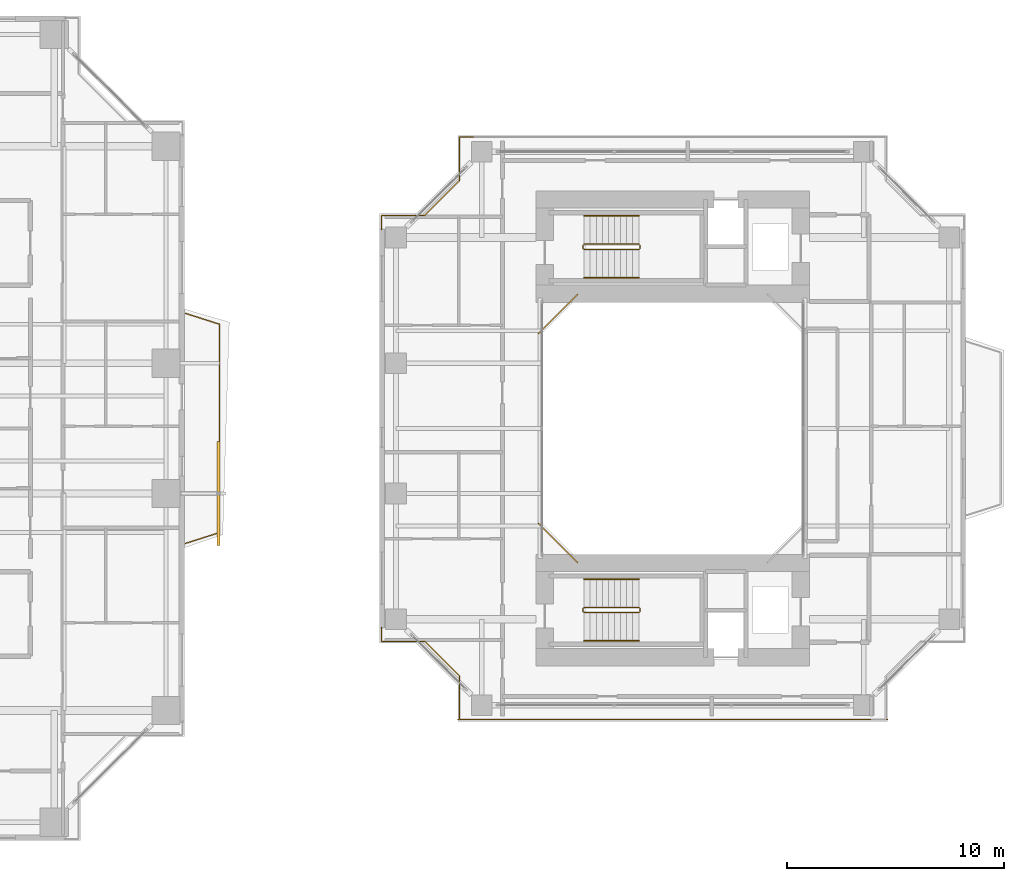
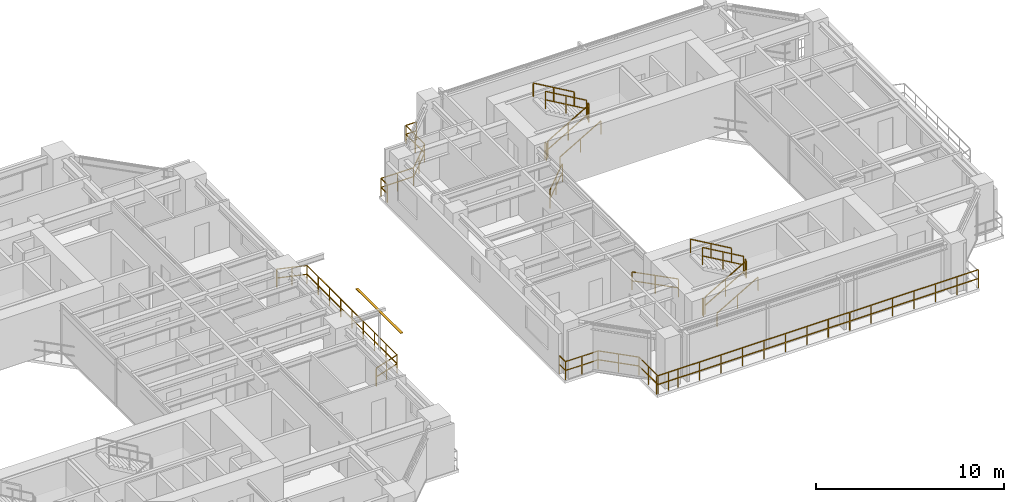
# One storey, part 22 of 24: 18 railings, 1 shading device.
"""IFC4 building model written with IfcOpenShell, lengths in metres."""

from ifc_helpers import new_model, si_unit, direction, frame, origin, origin_2d, place, context, subcontext, project, spatial, rectangle, extrude, source, transform, mapped, material, material_profile, profile_set, type_object, element, save


model = new_model("IFC4")

# Units and contexts
model_context = context("Model", 3, precision=1e-05, world=origin(), true_north=direction((0.0, 1.0)))
body_context = subcontext(model_context, "Body", "Model", "MODEL_VIEW")
ifc_project = project(units=[si_unit("LENGTHUNIT", "METRE"), si_unit("AREAUNIT", "SQUARE_METRE"), si_unit("VOLUMEUNIT", "CUBIC_METRE"), si_unit("PLANEANGLEUNIT", "RADIAN"), si_unit("MASSUNIT", "GRAM", prefix="KILO"), si_unit("THERMODYNAMICTEMPERATUREUNIT", "KELVIN"), si_unit("POWERUNIT", "WATT")], contexts=[model_context])

# Site, building, storey
site_placement = place(None, origin())
site = spatial("IfcSite", under=ifc_project, at=site_placement, CompositionType="ELEMENT")
building_placement = place(site_placement, origin())
building = spatial("IfcBuilding", under=site, at=building_placement, Name="Qiaomeng Ring Towers", CompositionType="ELEMENT")
storey_placement = place(building_placement, frame((0.0, 0.0, 56.75)))
storey = spatial("IfcBuildingStorey", under=building, at=storey_placement, Name="L15", CompositionType="ELEMENT", Elevation=56.75)

# Railings
ifc_material_1 = material(Name="Low-E pale-green laminated safety glass", Category="glass")
railing_type_1 = type_object("IfcRailingType", Name="ARC-RL-BAL1", PredefinedType="BALUSTRADE", material=ifc_material_1)
railing_1_placement = place(storey_placement, frame((38.050048828125, 17.699951171875, 0.0)))
element("IfcRailing", 1, at=railing_1_placement, inside=storey, type_object=railing_type_1, Name="L15 Balustrade ARC-BAL-L15-T1-E", PredefinedType="BALUSTRADE", context=body_context, shape_type="SweptSolid", body=[
    extrude(rectangle(XDim=0.048095703125, YDim=0.048095703125, at=origin_2d()), frame((0.0, 0.0, 1.17578125), z_axis=(0.952849860715, 0.303442157479, 0.0), x_axis=(-0.303442157479, 0.952849860715, 0.0)), (0.0, 0.0, 1.0), 1.647705078125),
    extrude(rectangle(XDim=0.048095703125, YDim=0.048095703125, at=origin_2d()), frame((0.0, 0.0, 0.60009765625), z_axis=(0.952849860715, 0.303442157479, 0.0), x_axis=(-0.303442157479, 0.952849860715, 0.0)), (0.0, 0.0, 1.0), 1.647705078125),
    extrude(rectangle(XDim=0.048095703125, YDim=0.048095703125, at=origin_2d()), frame((1.570068359375, 0.5, 1.17578125), z_axis=(0.0, 1.0, 0.0), x_axis=(-1.0, 0.0, 0.0)), (0.0, 0.0, 1.0), 9.60009765625),
    extrude(rectangle(XDim=0.048095703125, YDim=0.048095703125, at=origin_2d()), frame((1.570068359375, 0.5, 0.60009765625), z_axis=(0.0, 1.0, 0.0), x_axis=(-1.0, 0.0, 0.0)), (0.0, 0.0, 1.0), 9.60009765625),
    extrude(rectangle(XDim=0.048095703125, YDim=0.048095703125, at=origin_2d()), frame((1.570068359375, 10.10009765625, 1.17578125), z_axis=(-0.952849860715, 0.303442157479, 0.0), x_axis=(-0.303442157479, -0.952849860715, 0.0)), (0.0, 0.0, 1.0), 1.647705078125),
    extrude(rectangle(XDim=0.048095703125, YDim=0.048095703125, at=origin_2d()), frame((1.570068359375, 10.10009765625, 0.60009765625), z_axis=(-0.952849860715, 0.303442157479, 0.0), x_axis=(-0.303442157479, -0.952849860715, 0.0)), (0.0, 0.0, 1.0), 1.647705078125),
    extrude(rectangle(XDim=0.0419921875, YDim=0.0419921875, at=origin_2d()), origin(), (0.0, 0.0, 1.0), 1.15185546875),
    extrude(rectangle(XDim=0.0419921875, YDim=0.0419921875, at=origin_2d()), frame((0.78515625, 0.25, 0.0)), (0.0, 0.0, 1.0), 1.15185546875),
    extrude(rectangle(XDim=0.0419921875, YDim=0.0419921875, at=origin_2d()), frame((1.570068359375, 0.5, 0.0)), (0.0, 0.0, 1.0), 1.15185546875),
    extrude(rectangle(XDim=0.0419921875, YDim=0.0419921875, at=origin_2d()), frame((1.570068359375, 1.699951171875, 0.0)), (0.0, 0.0, 1.0), 1.15185546875),
    extrude(rectangle(XDim=0.0419921875, YDim=0.0419921875, at=origin_2d()), frame((1.570068359375, 2.89990234375, 0.0)), (0.0, 0.0, 1.0), 1.15185546875),
    extrude(rectangle(XDim=0.0419921875, YDim=0.0419921875, at=origin_2d()), frame((1.570068359375, 4.10009765625, 0.0)), (0.0, 0.0, 1.0), 1.15185546875),
    extrude(rectangle(XDim=0.0419921875, YDim=0.0419921875, at=origin_2d()), frame((1.570068359375, 5.300048828125, 0.0)), (0.0, 0.0, 1.0), 1.15185546875),
    extrude(rectangle(XDim=0.0419921875, YDim=0.0419921875, at=origin_2d()), frame((1.570068359375, 6.5, 0.0)), (0.0, 0.0, 1.0), 1.15185546875),
    extrude(rectangle(XDim=0.0419921875, YDim=0.0419921875, at=origin_2d()), frame((1.570068359375, 7.7001953125, 0.0)), (0.0, 0.0, 1.0), 1.15185546875),
    extrude(rectangle(XDim=0.0419921875, YDim=0.0419921875, at=origin_2d()), frame((1.570068359375, 8.900146484375, 0.0)), (0.0, 0.0, 1.0), 1.15185546875),
    extrude(rectangle(XDim=0.0419921875, YDim=0.0419921875, at=origin_2d()), frame((1.570068359375, 10.10009765625, 0.0)), (0.0, 0.0, 1.0), 1.15185546875),
    extrude(rectangle(XDim=0.0419921875, YDim=0.0419921875, at=origin_2d()), frame((0.78515625, 10.35009765625, 0.0)), (0.0, 0.0, 1.0), 1.15185546875),
    extrude(rectangle(XDim=0.0419921875, YDim=0.0419921875, at=origin_2d()), frame((0.0, 10.60009765625, 0.0)), (0.0, 0.0, 1.0), 1.15185546875),
])
railing_2_placement = place(storey_placement, frame((56.1201171875, 29.179931640625, 0.0)))
element("IfcRailing", 2, at=railing_2_placement, inside=storey, type_object=railing_type_1, Name="L15 Balustrade ARC-BAL-WELL2-L15-3", PredefinedType="BALUSTRADE", context=body_context, shape_type="SweptSolid", body=[
    extrude(rectangle(XDim=0.048095703125, YDim=0.048095703125, at=origin_2d()), frame((0.0, 0.0, 1.17578125), z_axis=(-0.707106781187, -0.707106781187, 0.0), x_axis=(0.707106781187, -0.707106781187, 0.0)), (0.0, 0.0, 1.0), 2.545654296875),
    extrude(rectangle(XDim=0.048095703125, YDim=0.048095703125, at=origin_2d()), frame((0.0, 0.0, 0.60009765625), z_axis=(-0.707106781187, -0.707106781187, 0.0), x_axis=(0.707106781187, -0.707106781187, 0.0)), (0.0, 0.0, 1.0), 2.545654296875),
    extrude(rectangle(XDim=0.0419921875, YDim=0.0419921875, at=origin_2d()), origin(), (0.0, 0.0, 1.0), 1.15185546875),
    extrude(rectangle(XDim=0.0419921875, YDim=0.0419921875, at=origin_2d()), frame((-0.89990234375, -0.89990234375, 0.0)), (0.0, 0.0, 1.0), 1.15185546875),
    extrude(rectangle(XDim=0.0419921875, YDim=0.0419921875, at=origin_2d()), frame((-1.800048828125, -1.800048828125, 0.0)), (0.0, 0.0, 1.0), 1.15185546875),
])
railing_3_placement = place(storey_placement, frame((54.320068359375, 18.6201171875, 0.0)))
element("IfcRailing", 3, at=railing_3_placement, inside=storey, type_object=railing_type_1, Name="L15 Balustrade ARC-BAL-WELL2-L15-4", PredefinedType="BALUSTRADE", context=body_context, shape_type="SweptSolid", body=[
    extrude(rectangle(XDim=0.048095703125, YDim=0.048095703125, at=origin_2d()), frame((0.0, 0.0, 1.17578125), z_axis=(0.707106781187, -0.707106781187, 0.0), x_axis=(0.707106781187, 0.707106781187, 0.0)), (0.0, 0.0, 1.0), 2.545654296875),
    extrude(rectangle(XDim=0.048095703125, YDim=0.048095703125, at=origin_2d()), frame((0.0, 0.0, 0.60009765625), z_axis=(0.707106781187, -0.707106781187, 0.0), x_axis=(0.707106781187, 0.707106781187, 0.0)), (0.0, 0.0, 1.0), 2.545654296875),
    extrude(rectangle(XDim=0.0419921875, YDim=0.0419921875, at=origin_2d()), origin(), (0.0, 0.0, 1.0), 1.15185546875),
    extrude(rectangle(XDim=0.0419921875, YDim=0.0419921875, at=origin_2d()), frame((0.89990234375, -0.89990234375, 0.0)), (0.0, 0.0, 1.0), 1.15185546875),
    extrude(rectangle(XDim=0.0419921875, YDim=0.0419921875, at=origin_2d()), frame((1.800048828125, -1.800048828125, 0.0)), (0.0, 0.0, 1.0), 1.15185546875),
])
railing_4_placement = place(storey_placement, frame((51.330078125, 36.419921875, 0.0)))
element("IfcRailing", 4, at=railing_4_placement, inside=storey, type_object=railing_type_1, Name="L15 Balustrade ARC-BAL-NOTCH2-L15-NW", PredefinedType="BALUSTRADE", context=body_context, shape_type="SweptSolid", body=[
    extrude(rectangle(XDim=0.048095703125, YDim=0.048095703125, at=origin_2d()), frame((0.0, 0.0, 1.17578125), z_axis=(-1.0, 0.0, 0.0), x_axis=(0.0, -1.0, 0.0)), (0.0, 0.0, 1.0), 0.650146484375),
    extrude(rectangle(XDim=0.048095703125, YDim=0.048095703125, at=origin_2d()), frame((0.0, 0.0, 0.60009765625), z_axis=(-1.0, 0.0, 0.0), x_axis=(0.0, -1.0, 0.0)), (0.0, 0.0, 1.0), 0.650146484375),
    extrude(rectangle(XDim=0.048095703125, YDim=0.048095703125, at=origin_2d()), frame((-0.650146484375, 0.0, 1.17578125), z_axis=(0.0, -1.0, 0.0), x_axis=(1.0, 0.0, 0.0)), (0.0, 0.0, 1.0), 2.0),
    extrude(rectangle(XDim=0.048095703125, YDim=0.048095703125, at=origin_2d()), frame((-0.650146484375, 0.0, 0.60009765625), z_axis=(0.0, -1.0, 0.0), x_axis=(1.0, 0.0, 0.0)), (0.0, 0.0, 1.0), 2.0),
    extrude(rectangle(XDim=0.048095703125, YDim=0.048095703125, at=origin_2d()), frame((-0.650146484375, -2.0, 1.17578125), z_axis=(-0.707106781187, -0.707106781187, 0.0), x_axis=(0.707106781187, -0.707106781187, 0.0)), (0.0, 0.0, 1.0), 2.262451171875),
    extrude(rectangle(XDim=0.048095703125, YDim=0.048095703125, at=origin_2d()), frame((-0.650146484375, -2.0, 0.60009765625), z_axis=(-0.707106781187, -0.707106781187, 0.0), x_axis=(0.707106781187, -0.707106781187, 0.0)), (0.0, 0.0, 1.0), 2.262451171875),
    extrude(rectangle(XDim=0.048095703125, YDim=0.048095703125, at=origin_2d()), frame((-2.25, -3.599853515625, 1.17578125), z_axis=(-1.0, 0.0, 0.0), x_axis=(0.0, -1.0, 0.0)), (0.0, 0.0, 1.0), 2.0),
    extrude(rectangle(XDim=0.048095703125, YDim=0.048095703125, at=origin_2d()), frame((-2.25, -3.599853515625, 0.60009765625), z_axis=(-1.0, 0.0, 0.0), x_axis=(0.0, -1.0, 0.0)), (0.0, 0.0, 1.0), 2.0),
    extrude(rectangle(XDim=0.048095703125, YDim=0.048095703125, at=origin_2d()), frame((-4.25, -3.599853515625, 1.17578125), z_axis=(0.0, -1.0, 0.0), x_axis=(1.0, 0.0, 0.0)), (0.0, 0.0, 1.0), 0.650146484375),
    extrude(rectangle(XDim=0.048095703125, YDim=0.048095703125, at=origin_2d()), frame((-4.25, -3.599853515625, 0.60009765625), z_axis=(0.0, -1.0, 0.0), x_axis=(1.0, 0.0, 0.0)), (0.0, 0.0, 1.0), 0.650146484375),
    extrude(rectangle(XDim=0.0419921875, YDim=0.0419921875, at=origin_2d()), origin(), (0.0, 0.0, 1.0), 1.15185546875),
    extrude(rectangle(XDim=0.0419921875, YDim=0.0419921875, at=origin_2d()), frame((-0.650146484375, 0.0, 0.0)), (0.0, 0.0, 1.0), 1.15185546875),
    extrude(rectangle(XDim=0.0419921875, YDim=0.0419921875, at=origin_2d()), frame((-0.650146484375, -1.0, 0.0)), (0.0, 0.0, 1.0), 1.15185546875),
    extrude(rectangle(XDim=0.0419921875, YDim=0.0419921875, at=origin_2d()), frame((-0.650146484375, -2.0, 0.0)), (0.0, 0.0, 1.0), 1.15185546875),
    extrude(rectangle(XDim=0.0419921875, YDim=0.0419921875, at=origin_2d()), frame((-1.4501953125, -2.7998046875, 0.0)), (0.0, 0.0, 1.0), 1.15185546875),
    extrude(rectangle(XDim=0.0419921875, YDim=0.0419921875, at=origin_2d()), frame((-2.25, -3.599853515625, 0.0)), (0.0, 0.0, 1.0), 1.15185546875),
    extrude(rectangle(XDim=0.0419921875, YDim=0.0419921875, at=origin_2d()), frame((-3.25, -3.599853515625, 0.0)), (0.0, 0.0, 1.0), 1.15185546875),
    extrude(rectangle(XDim=0.0419921875, YDim=0.0419921875, at=origin_2d()), frame((-4.25, -3.599853515625, 0.0)), (0.0, 0.0, 1.0), 1.15185546875),
    extrude(rectangle(XDim=0.0419921875, YDim=0.0419921875, at=origin_2d()), frame((-4.25, -4.25, 0.0)), (0.0, 0.0, 1.0), 1.15185546875),
])
railing_5_placement = place(storey_placement, frame((47.080078125, 13.830078125, 0.0)))
element("IfcRailing", 5, at=railing_5_placement, inside=storey, type_object=railing_type_1, Name="L15 Balustrade ARC-BAL-NOTCH2-L15-SW", PredefinedType="BALUSTRADE", context=body_context, shape_type="SweptSolid", body=[
    extrude(rectangle(XDim=0.048095703125, YDim=0.048095703125, at=origin_2d()), frame((0.0, 0.0, 1.17578125), z_axis=(0.0, -1.0, 0.0), x_axis=(1.0, 0.0, 0.0)), (0.0, 0.0, 1.0), 0.650146484375),
    extrude(rectangle(XDim=0.048095703125, YDim=0.048095703125, at=origin_2d()), frame((0.0, 0.0, 0.60009765625), z_axis=(0.0, -1.0, 0.0), x_axis=(1.0, 0.0, 0.0)), (0.0, 0.0, 1.0), 0.650146484375),
    extrude(rectangle(XDim=0.048095703125, YDim=0.048095703125, at=origin_2d()), frame((0.0, -0.650146484375, 1.17578125), z_axis=(1.0, 0.0, 0.0), x_axis=(0.0, 1.0, 0.0)), (0.0, 0.0, 1.0), 2.0),
    extrude(rectangle(XDim=0.048095703125, YDim=0.048095703125, at=origin_2d()), frame((0.0, -0.650146484375, 0.60009765625), z_axis=(1.0, 0.0, 0.0), x_axis=(0.0, 1.0, 0.0)), (0.0, 0.0, 1.0), 2.0),
    extrude(rectangle(XDim=0.048095703125, YDim=0.048095703125, at=origin_2d()), frame((2.0, -0.650146484375, 1.17578125), z_axis=(0.707106781187, -0.707106781187, 0.0), x_axis=(0.707106781187, 0.707106781187, 0.0)), (0.0, 0.0, 1.0), 2.262451171875),
    extrude(rectangle(XDim=0.048095703125, YDim=0.048095703125, at=origin_2d()), frame((2.0, -0.650146484375, 0.60009765625), z_axis=(0.707106781187, -0.707106781187, 0.0), x_axis=(0.707106781187, 0.707106781187, 0.0)), (0.0, 0.0, 1.0), 2.262451171875),
    extrude(rectangle(XDim=0.048095703125, YDim=0.048095703125, at=origin_2d()), frame((3.599853515625, -2.25, 1.17578125), z_axis=(0.0, -1.0, 0.0), x_axis=(1.0, 0.0, 0.0)), (0.0, 0.0, 1.0), 2.0),
    extrude(rectangle(XDim=0.048095703125, YDim=0.048095703125, at=origin_2d()), frame((3.599853515625, -2.25, 0.60009765625), z_axis=(0.0, -1.0, 0.0), x_axis=(1.0, 0.0, 0.0)), (0.0, 0.0, 1.0), 2.0),
    extrude(rectangle(XDim=0.048095703125, YDim=0.048095703125, at=origin_2d()), frame((3.599853515625, -4.25, 1.17578125), z_axis=(1.0, 0.0, 0.0), x_axis=(0.0, 1.0, 0.0)), (0.0, 0.0, 1.0), 0.650146484375),
    extrude(rectangle(XDim=0.048095703125, YDim=0.048095703125, at=origin_2d()), frame((3.599853515625, -4.25, 0.60009765625), z_axis=(1.0, 0.0, 0.0), x_axis=(0.0, 1.0, 0.0)), (0.0, 0.0, 1.0), 0.650146484375),
    extrude(rectangle(XDim=0.0419921875, YDim=0.0419921875, at=origin_2d()), origin(), (0.0, 0.0, 1.0), 1.15185546875),
    extrude(rectangle(XDim=0.0419921875, YDim=0.0419921875, at=origin_2d()), frame((0.0, -0.650146484375, 0.0)), (0.0, 0.0, 1.0), 1.15185546875),
    extrude(rectangle(XDim=0.0419921875, YDim=0.0419921875, at=origin_2d()), frame((1.0, -0.650146484375, 0.0)), (0.0, 0.0, 1.0), 1.15185546875),
    extrude(rectangle(XDim=0.0419921875, YDim=0.0419921875, at=origin_2d()), frame((2.0, -0.650146484375, 0.0)), (0.0, 0.0, 1.0), 1.15185546875),
    extrude(rectangle(XDim=0.0419921875, YDim=0.0419921875, at=origin_2d()), frame((2.7998046875, -1.4501953125, 0.0)), (0.0, 0.0, 1.0), 1.15185546875),
    extrude(rectangle(XDim=0.0419921875, YDim=0.0419921875, at=origin_2d()), frame((3.599853515625, -2.25, 0.0)), (0.0, 0.0, 1.0), 1.15185546875),
    extrude(rectangle(XDim=0.0419921875, YDim=0.0419921875, at=origin_2d()), frame((3.599853515625, -3.25, 0.0)), (0.0, 0.0, 1.0), 1.15185546875),
    extrude(rectangle(XDim=0.0419921875, YDim=0.0419921875, at=origin_2d()), frame((3.599853515625, -4.25, 0.0)), (0.0, 0.0, 1.0), 1.15185546875),
    extrude(rectangle(XDim=0.0419921875, YDim=0.0419921875, at=origin_2d()), frame((4.25, -4.25, 0.0)), (0.0, 0.0, 1.0), 1.15185546875),
])
railing_6_placement = place(storey_placement, frame((50.60009765625, 9.580078125, 0.0)))
element("IfcRailing", 6, at=railing_6_placement, inside=storey, type_object=railing_type_1, Name="L15 Balustrade ARC-BAL-T2S-L15", PredefinedType="BALUSTRADE", context=body_context, shape_type="SweptSolid", body=[
    extrude(rectangle(XDim=0.048095703125, YDim=0.048095703125, at=origin_2d()), frame((0.0, 0.0, 1.17578125), z_axis=(1.0, 0.0, 0.0), x_axis=(0.0, 1.0, 0.0)), (0.0, 0.0, 1.0), 19.7998046875),
    extrude(rectangle(XDim=0.048095703125, YDim=0.048095703125, at=origin_2d()), frame((0.0, 0.0, 0.60009765625), z_axis=(1.0, 0.0, 0.0), x_axis=(0.0, 1.0, 0.0)), (0.0, 0.0, 1.0), 19.7998046875),
    extrude(rectangle(XDim=0.0419921875, YDim=0.0419921875, at=origin_2d()), origin(), (0.0, 0.0, 1.0), 1.15185546875),
    extrude(rectangle(XDim=0.0419921875, YDim=0.0419921875, at=origin_2d()), frame((1.320068359375, 0.0, 0.0)), (0.0, 0.0, 1.0), 1.15185546875),
    extrude(rectangle(XDim=0.0419921875, YDim=0.0419921875, at=origin_2d()), frame((2.639892578125, 0.0, 0.0)), (0.0, 0.0, 1.0), 1.15185546875),
    extrude(rectangle(XDim=0.0419921875, YDim=0.0419921875, at=origin_2d()), frame((3.9599609375, 0.0, 0.0)), (0.0, 0.0, 1.0), 1.15185546875),
    extrude(rectangle(XDim=0.0419921875, YDim=0.0419921875, at=origin_2d()), frame((5.280029296875, 0.0, 0.0)), (0.0, 0.0, 1.0), 1.15185546875),
    extrude(rectangle(XDim=0.0419921875, YDim=0.0419921875, at=origin_2d()), frame((6.599853515625, 0.0, 0.0)), (0.0, 0.0, 1.0), 1.15185546875),
    extrude(rectangle(XDim=0.0419921875, YDim=0.0419921875, at=origin_2d()), frame((7.919921875, 0.0, 0.0)), (0.0, 0.0, 1.0), 1.15185546875),
    extrude(rectangle(XDim=0.0419921875, YDim=0.0419921875, at=origin_2d()), frame((9.239990234375, 0.0, 0.0)), (0.0, 0.0, 1.0), 1.15185546875),
    extrude(rectangle(XDim=0.0419921875, YDim=0.0419921875, at=origin_2d()), frame((10.559814453125, 0.0, 0.0)), (0.0, 0.0, 1.0), 1.15185546875),
    extrude(rectangle(XDim=0.0419921875, YDim=0.0419921875, at=origin_2d()), frame((11.8798828125, 0.0, 0.0)), (0.0, 0.0, 1.0), 1.15185546875),
    extrude(rectangle(XDim=0.0419921875, YDim=0.0419921875, at=origin_2d()), frame((13.199951171875, 0.0, 0.0)), (0.0, 0.0, 1.0), 1.15185546875),
    extrude(rectangle(XDim=0.0419921875, YDim=0.0419921875, at=origin_2d()), frame((14.519775390625, 0.0, 0.0)), (0.0, 0.0, 1.0), 1.15185546875),
    extrude(rectangle(XDim=0.0419921875, YDim=0.0419921875, at=origin_2d()), frame((15.83984375, 0.0, 0.0)), (0.0, 0.0, 1.0), 1.15185546875),
    extrude(rectangle(XDim=0.0419921875, YDim=0.0419921875, at=origin_2d()), frame((17.159912109375, 0.0, 0.0)), (0.0, 0.0, 1.0), 1.15185546875),
    extrude(rectangle(XDim=0.0419921875, YDim=0.0419921875, at=origin_2d()), frame((18.479736328125, 0.0, 0.0)), (0.0, 0.0, 1.0), 1.15185546875),
    extrude(rectangle(XDim=0.0419921875, YDim=0.0419921875, at=origin_2d()), frame((19.7998046875, 0.0, 0.0)), (0.0, 0.0, 1.0), 1.15185546875),
])
ifc_material_2 = material(Name="Galvanised steel", Category="steel")
railing_type_2 = type_object("IfcRailingType", Name="ARC-RL-GUARD", PredefinedType="GUARDRAIL", material=ifc_material_2)
railing_7_placement = place(storey_placement, frame((56.419921875, 31.25, 0.16259765625)))
element("IfcRailing", 7, at=railing_7_placement, inside=storey, type_object=railing_type_2, Name="L15 ST5 stair guard 1", PredefinedType="GUARDRAIL", context=body_context, shape_type="SweptSolid", body=[
    extrude(rectangle(XDim=0.048095703125, YDim=0.048095703125, at=origin_2d()), frame((0.0, 0.0, 1.1259765625), z_axis=(0.864913338283, 0.0, 0.50192122615), x_axis=(0.0, 1.0, 0.0)), (0.0, 0.0, 1.0), 2.91357421875),
    extrude(rectangle(XDim=0.048095703125, YDim=0.048095703125, at=origin_2d()), frame((0.0, 0.0, 0.574951171875), z_axis=(0.864913338283, 0.0, 0.50192122615), x_axis=(0.0, 1.0, 0.0)), (0.0, 0.0, 1.0), 2.91357421875),
    extrude(rectangle(XDim=0.0419921875, YDim=0.0419921875, at=origin_2d()), origin(), (0.0, 0.0, 1.0), 1.101806640625),
    extrude(rectangle(XDim=0.0419921875, YDim=0.0419921875, at=origin_2d()), frame((1.260009765625, 0.0, 0.731201171875)), (0.0, 0.0, 1.0), 1.101806640625),
    extrude(rectangle(XDim=0.0419921875, YDim=0.0419921875, at=origin_2d()), frame((2.52001953125, 0.0, 1.46240234375)), (0.0, 0.0, 1.0), 1.101806640625),
])
railing_8_placement = place(storey_placement, frame((58.989990234375, 31.300048828125, 1.625)))
element("IfcRailing", 8, at=railing_8_placement, inside=storey, type_object=railing_type_2, Name="L15 ST5 stair guard 2", PredefinedType="GUARDRAIL", context=body_context, shape_type="SweptSolid", body=[
    extrude(rectangle(XDim=0.048095703125, YDim=0.048095703125, at=origin_2d()), frame((0.0, 0.0, 1.1259765625), z_axis=(0.0, 1.0, 0.0), x_axis=(-1.0, 0.0, 0.0)), (0.0, 0.0, 1.0), 0.139892578125),
    extrude(rectangle(XDim=0.048095703125, YDim=0.048095703125, at=origin_2d()), frame((0.0, 0.0, 0.574951171875), z_axis=(0.0, 1.0, 0.0), x_axis=(-1.0, 0.0, 0.0)), (0.0, 0.0, 1.0), 0.139892578125),
    extrude(rectangle(XDim=0.0419921875, YDim=0.0419921875, at=origin_2d()), origin(), (0.0, 0.0, 1.0), 1.101806640625),
    extrude(rectangle(XDim=0.0419921875, YDim=0.0419921875, at=origin_2d()), frame((0.0, 0.139892578125, 0.0)), (0.0, 0.0, 1.0), 1.101806640625),
])
railing_9_placement = place(storey_placement, frame((58.93994140625, 31.489990234375, 1.78759765625)))
element("IfcRailing", 9, at=railing_9_placement, inside=storey, type_object=railing_type_2, Name="L15 ST5 stair guard 3", PredefinedType="GUARDRAIL", context=body_context, shape_type="SweptSolid", body=[
    extrude(rectangle(XDim=0.048095703125, YDim=0.048095703125, at=origin_2d()), frame((0.0, 0.0, 1.1259765625), z_axis=(-0.864913338283, 0.0, 0.50192122615), x_axis=(0.0, -1.0, 0.0)), (0.0, 0.0, 1.0), 2.91357421875),
    extrude(rectangle(XDim=0.048095703125, YDim=0.048095703125, at=origin_2d()), frame((0.0, 0.0, 0.574951171875), z_axis=(-0.864913338283, 0.0, 0.50192122615), x_axis=(0.0, -1.0, 0.0)), (0.0, 0.0, 1.0), 2.91357421875),
    extrude(rectangle(XDim=0.0419921875, YDim=0.0419921875, at=origin_2d()), origin(), (0.0, 0.0, 1.0), 1.101806640625),
    extrude(rectangle(XDim=0.0419921875, YDim=0.0419921875, at=origin_2d()), frame((-1.260009765625, 0.0, 0.731201171875)), (0.0, 0.0, 1.0), 1.101806640625),
    extrude(rectangle(XDim=0.0419921875, YDim=0.0419921875, at=origin_2d()), frame((-2.52001953125, 0.0, 1.46240234375)), (0.0, 0.0, 1.0), 1.101806640625),
])
railing_10_placement = place(storey_placement, frame((56.3701171875, 31.300048828125, 0.0)))
element("IfcRailing", 10, at=railing_10_placement, inside=storey, type_object=railing_type_2, Name="L15 ST5 stair guard 4", PredefinedType="GUARDRAIL", context=body_context, shape_type="SweptSolid", body=[
    extrude(rectangle(XDim=0.048095703125, YDim=0.048095703125, at=origin_2d()), frame((0.0, 0.0, 1.1259765625), z_axis=(0.0, 1.0, 0.0), x_axis=(-1.0, 0.0, 0.0)), (0.0, 0.0, 1.0), 0.139892578125),
    extrude(rectangle(XDim=0.048095703125, YDim=0.048095703125, at=origin_2d()), frame((0.0, 0.0, 0.574951171875), z_axis=(0.0, 1.0, 0.0), x_axis=(-1.0, 0.0, 0.0)), (0.0, 0.0, 1.0), 0.139892578125),
    extrude(rectangle(XDim=0.0419921875, YDim=0.0419921875, at=origin_2d()), origin(), (0.0, 0.0, 1.0), 1.101806640625),
    extrude(rectangle(XDim=0.0419921875, YDim=0.0419921875, at=origin_2d()), frame((0.0, 0.139892578125, 0.0)), (0.0, 0.0, 1.0), 1.101806640625),
])
railing_11_placement = place(storey_placement, frame((56.419921875, 14.510009765625, 0.16259765625)))
element("IfcRailing", 11, at=railing_11_placement, inside=storey, type_object=railing_type_2, Name="L15 ST6 stair guard 1", PredefinedType="GUARDRAIL", context=body_context, shape_type="SweptSolid", body=[
    extrude(rectangle(XDim=0.048095703125, YDim=0.048095703125, at=origin_2d()), frame((0.0, 0.0, 1.1259765625), z_axis=(0.864913338283, 0.0, 0.50192122615), x_axis=(0.0, 1.0, 0.0)), (0.0, 0.0, 1.0), 2.91357421875),
    extrude(rectangle(XDim=0.048095703125, YDim=0.048095703125, at=origin_2d()), frame((0.0, 0.0, 0.574951171875), z_axis=(0.864913338283, 0.0, 0.50192122615), x_axis=(0.0, 1.0, 0.0)), (0.0, 0.0, 1.0), 2.91357421875),
    extrude(rectangle(XDim=0.0419921875, YDim=0.0419921875, at=origin_2d()), origin(), (0.0, 0.0, 1.0), 1.101806640625),
    extrude(rectangle(XDim=0.0419921875, YDim=0.0419921875, at=origin_2d()), frame((1.260009765625, 0.0, 0.731201171875)), (0.0, 0.0, 1.0), 1.101806640625),
    extrude(rectangle(XDim=0.0419921875, YDim=0.0419921875, at=origin_2d()), frame((2.52001953125, 0.0, 1.46240234375)), (0.0, 0.0, 1.0), 1.101806640625),
])
railing_12_placement = place(storey_placement, frame((58.989990234375, 14.56005859375, 1.625)))
element("IfcRailing", 12, at=railing_12_placement, inside=storey, type_object=railing_type_2, Name="L15 ST6 stair guard 2", PredefinedType="GUARDRAIL", context=body_context, shape_type="SweptSolid", body=[
    extrude(rectangle(XDim=0.048095703125, YDim=0.048095703125, at=origin_2d()), frame((0.0, 0.0, 1.1259765625), z_axis=(0.0, 1.0, 0.0), x_axis=(-1.0, 0.0, 0.0)), (0.0, 0.0, 1.0), 0.139892578125),
    extrude(rectangle(XDim=0.048095703125, YDim=0.048095703125, at=origin_2d()), frame((0.0, 0.0, 0.574951171875), z_axis=(0.0, 1.0, 0.0), x_axis=(-1.0, 0.0, 0.0)), (0.0, 0.0, 1.0), 0.139892578125),
    extrude(rectangle(XDim=0.0419921875, YDim=0.0419921875, at=origin_2d()), origin(), (0.0, 0.0, 1.0), 1.101806640625),
    extrude(rectangle(XDim=0.0419921875, YDim=0.0419921875, at=origin_2d()), frame((0.0, 0.139892578125, 0.0)), (0.0, 0.0, 1.0), 1.101806640625),
])
railing_13_placement = place(storey_placement, frame((58.93994140625, 14.75, 1.78759765625)))
element("IfcRailing", 13, at=railing_13_placement, inside=storey, type_object=railing_type_2, Name="L15 ST6 stair guard 3", PredefinedType="GUARDRAIL", context=body_context, shape_type="SweptSolid", body=[
    extrude(rectangle(XDim=0.048095703125, YDim=0.048095703125, at=origin_2d()), frame((0.0, 0.0, 1.1259765625), z_axis=(-0.864913338283, 0.0, 0.50192122615), x_axis=(0.0, -1.0, 0.0)), (0.0, 0.0, 1.0), 2.91357421875),
    extrude(rectangle(XDim=0.048095703125, YDim=0.048095703125, at=origin_2d()), frame((0.0, 0.0, 0.574951171875), z_axis=(-0.864913338283, 0.0, 0.50192122615), x_axis=(0.0, -1.0, 0.0)), (0.0, 0.0, 1.0), 2.91357421875),
    extrude(rectangle(XDim=0.0419921875, YDim=0.0419921875, at=origin_2d()), origin(), (0.0, 0.0, 1.0), 1.101806640625),
    extrude(rectangle(XDim=0.0419921875, YDim=0.0419921875, at=origin_2d()), frame((-1.260009765625, 0.0, 0.731201171875)), (0.0, 0.0, 1.0), 1.101806640625),
    extrude(rectangle(XDim=0.0419921875, YDim=0.0419921875, at=origin_2d()), frame((-2.52001953125, 0.0, 1.46240234375)), (0.0, 0.0, 1.0), 1.101806640625),
])
railing_14_placement = place(storey_placement, frame((56.3701171875, 14.56005859375, 0.0)))
element("IfcRailing", 14, at=railing_14_placement, inside=storey, type_object=railing_type_2, Name="L15 ST6 stair guard 4", PredefinedType="GUARDRAIL", context=body_context, shape_type="SweptSolid", body=[
    extrude(rectangle(XDim=0.048095703125, YDim=0.048095703125, at=origin_2d()), frame((0.0, 0.0, 1.1259765625), z_axis=(0.0, 1.0, 0.0), x_axis=(-1.0, 0.0, 0.0)), (0.0, 0.0, 1.0), 0.139892578125),
    extrude(rectangle(XDim=0.048095703125, YDim=0.048095703125, at=origin_2d()), frame((0.0, 0.0, 0.574951171875), z_axis=(0.0, 1.0, 0.0), x_axis=(-1.0, 0.0, 0.0)), (0.0, 0.0, 1.0), 0.139892578125),
    extrude(rectangle(XDim=0.0419921875, YDim=0.0419921875, at=origin_2d()), origin(), (0.0, 0.0, 1.0), 1.101806640625),
    extrude(rectangle(XDim=0.0419921875, YDim=0.0419921875, at=origin_2d()), frame((0.0, 0.139892578125, 0.0)), (0.0, 0.0, 1.0), 1.101806640625),
])
ifc_material_3 = material(Name="Stainless steel 316", Category="steel")
railing_type_3 = type_object("IfcRailingType", Name="ARC-RL-HAND", PredefinedType="HANDRAIL", material=ifc_material_3)
railing_15_placement = place(storey_placement, frame((56.419921875, 29.949951171875, 0.16259765625)))
element("IfcRailing", 15, at=railing_15_placement, inside=storey, type_object=railing_type_3, Name="L15 ST5 stair handrail 1", PredefinedType="HANDRAIL", context=body_context, shape_type="SweptSolid", body=[
    extrude(rectangle(XDim=0.048095703125, YDim=0.048095703125, at=origin_2d()), frame((0.0, 0.0, 0.8759765625), z_axis=(0.864913338283, 0.0, 0.50192122615), x_axis=(0.0, 1.0, 0.0)), (0.0, 0.0, 1.0), 2.91357421875),
    extrude(rectangle(XDim=0.0419921875, YDim=0.0419921875, at=origin_2d()), origin(), (0.0, 0.0, 1.0), 0.851806640625),
    extrude(rectangle(XDim=0.0419921875, YDim=0.0419921875, at=origin_2d()), frame((1.260009765625, 0.0, 0.731201171875)), (0.0, 0.0, 1.0), 0.851806640625),
    extrude(rectangle(XDim=0.0419921875, YDim=0.0419921875, at=origin_2d()), frame((2.52001953125, 0.0, 1.46240234375)), (0.0, 0.0, 1.0), 0.851806640625),
])
railing_16_placement = place(storey_placement, frame((58.93994140625, 32.7900390625, 1.78759765625)))
element("IfcRailing", 16, at=railing_16_placement, inside=storey, type_object=railing_type_3, Name="L15 ST5 stair handrail 2", PredefinedType="HANDRAIL", context=body_context, shape_type="SweptSolid", body=[
    extrude(rectangle(XDim=0.048095703125, YDim=0.048095703125, at=origin_2d()), frame((0.0, 0.0, 0.8759765625), z_axis=(-0.864913338283, 0.0, 0.50192122615), x_axis=(0.0, -1.0, 0.0)), (0.0, 0.0, 1.0), 2.91357421875),
    extrude(rectangle(XDim=0.0419921875, YDim=0.0419921875, at=origin_2d()), origin(), (0.0, 0.0, 1.0), 0.851806640625),
    extrude(rectangle(XDim=0.0419921875, YDim=0.0419921875, at=origin_2d()), frame((-1.260009765625, 0.0, 0.731201171875)), (0.0, 0.0, 1.0), 0.851806640625),
    extrude(rectangle(XDim=0.0419921875, YDim=0.0419921875, at=origin_2d()), frame((-2.52001953125, 0.0, 1.46240234375)), (0.0, 0.0, 1.0), 0.851806640625),
])
railing_17_placement = place(storey_placement, frame((56.419921875, 13.2099609375, 0.16259765625)))
element("IfcRailing", 17, at=railing_17_placement, inside=storey, type_object=railing_type_3, Name="L15 ST6 stair handrail 1", PredefinedType="HANDRAIL", context=body_context, shape_type="SweptSolid", body=[
    extrude(rectangle(XDim=0.048095703125, YDim=0.048095703125, at=origin_2d()), frame((0.0, 0.0, 0.8759765625), z_axis=(0.864913338283, 0.0, 0.50192122615), x_axis=(0.0, 1.0, 0.0)), (0.0, 0.0, 1.0), 2.91357421875),
    extrude(rectangle(XDim=0.0419921875, YDim=0.0419921875, at=origin_2d()), origin(), (0.0, 0.0, 1.0), 0.851806640625),
    extrude(rectangle(XDim=0.0419921875, YDim=0.0419921875, at=origin_2d()), frame((1.260009765625, 0.0, 0.731201171875)), (0.0, 0.0, 1.0), 0.851806640625),
    extrude(rectangle(XDim=0.0419921875, YDim=0.0419921875, at=origin_2d()), frame((2.52001953125, 0.0, 1.46240234375)), (0.0, 0.0, 1.0), 0.851806640625),
])
railing_18_placement = place(storey_placement, frame((58.93994140625, 16.050048828125, 1.78759765625)))
element("IfcRailing", 18, at=railing_18_placement, inside=storey, type_object=railing_type_3, Name="L15 ST6 stair handrail 2", PredefinedType="HANDRAIL", context=body_context, shape_type="SweptSolid", body=[
    extrude(rectangle(XDim=0.048095703125, YDim=0.048095703125, at=origin_2d()), frame((0.0, 0.0, 0.8759765625), z_axis=(-0.864913338283, 0.0, 0.50192122615), x_axis=(0.0, -1.0, 0.0)), (0.0, 0.0, 1.0), 2.91357421875),
    extrude(rectangle(XDim=0.0419921875, YDim=0.0419921875, at=origin_2d()), origin(), (0.0, 0.0, 1.0), 0.851806640625),
    extrude(rectangle(XDim=0.0419921875, YDim=0.0419921875, at=origin_2d()), frame((-1.260009765625, 0.0, 0.731201171875)), (0.0, 0.0, 1.0), 0.851806640625),
    extrude(rectangle(XDim=0.0419921875, YDim=0.0419921875, at=origin_2d()), frame((-2.52001953125, 0.0, 1.46240234375)), (0.0, 0.0, 1.0), 0.851806640625),
])

# Shading device
ifc_material_4 = material(Name="Fluorocarbon dark-grey aluminium", Category="aluminium")
ifc_material_profile = material_profile(ifc_material_4, rectangle(XDim=0.14990234375, YDim=0.034912109375, at=origin_2d()), Name="LV BLADE 150x35")
ifc_profile_set = profile_set([ifc_material_profile], Name="Fluorocarbon dark-grey aluminium")
shading_device_type = type_object("IfcShadingDeviceType", Name="ARC-SHD-SUN", PredefinedType="AWNING", material=ifc_profile_set)
shared_shape = source(origin(), body_context, "Body", "SweptSolid", [
    extrude(rectangle(XDim=0.14990234375, YDim=0.034912109375, at=origin_2d()), origin(), (0.0, 0.0, 1.0), 4.7998046875),
])
shading_device_placement = place(storey_placement, frame((39.570068359375, 17.60009765625, 2.969970703125), z_axis=(0.0, 1.0, 0.0), x_axis=(-1.0, 0.0, 0.0)))
element("IfcShadingDevice", 19, at=shading_device_placement, inside=storey, type_object=shading_device_type, Name="L15 Ventilated Outer-Skin Sunshade E", PredefinedType="AWNING", context=body_context, shape_type="MappedRepresentation", body=[
    mapped(shared_shape, transform((0.0, 0.0, 0.0), x_axis=(1.0, 0.0, 0.0), y_axis=(0.0, 1.0, 0.0), z_axis=(0.0, 0.0, 1.0), scale=1.0)),
])

save(model, "model.ifc")
